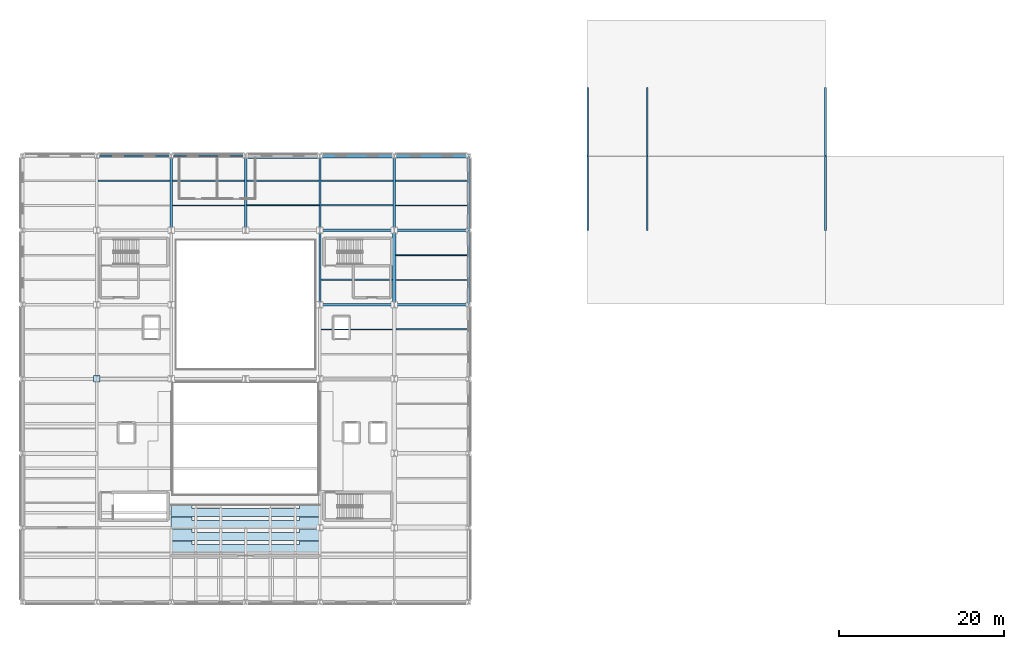
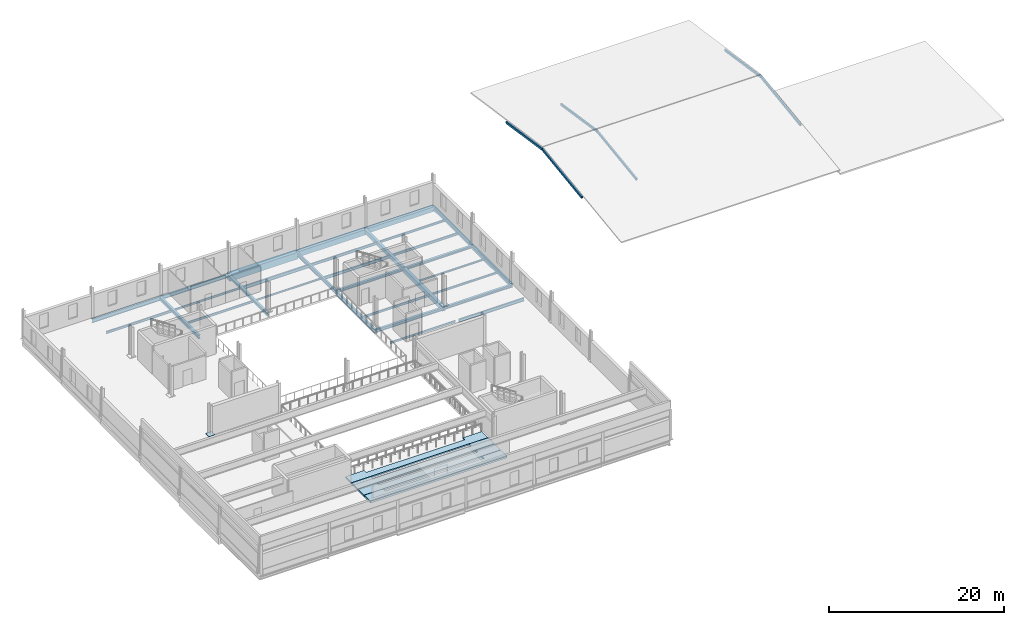
# One storey, part 7 of 17: 31 beams, 6 members, 4 slabs, 1 plate.
"""IFC4 building model written with IfcOpenShell, lengths in metres."""

from ifc_helpers import new_model, si_unit, direction, frame, origin, origin_2d, place, context, subcontext, project, spatial, polyline, rectangle, hollow_rectangle, i_section, outline, extrude, material, layer, layer_set, material_profile, profile_set, type_object, element, save


model = new_model("IFC4")

# Units and contexts
model_context = context("Model", 3, precision=1e-05, world=origin(), true_north=direction((0.0, 1.0)))
body_context = subcontext(model_context, "Body", "Model", "MODEL_VIEW")
ifc_project = project(units=[si_unit("LENGTHUNIT", "METRE"), si_unit("AREAUNIT", "SQUARE_METRE"), si_unit("VOLUMEUNIT", "CUBIC_METRE"), si_unit("PLANEANGLEUNIT", "RADIAN"), si_unit("MASSUNIT", "GRAM", prefix="KILO")], contexts=[model_context])

# Site, building, storey
site_placement = place(None, origin())
site = spatial("IfcSite", under=ifc_project, at=site_placement, CompositionType="ELEMENT")
building_placement = place(site_placement, origin())
building = spatial("IfcBuilding", under=site, at=building_placement, Name="Sundgate Opera House", CompositionType="ELEMENT")
storey_placement = place(building_placement, frame((0.0, 0.0, 26.39990234375)))
storey = spatial("IfcBuildingStorey", under=building, at=storey_placement, Name="L05", CompositionType="ELEMENT", Elevation=26.39990234375)

# Beams
ifc_material_1 = material(Name="Steel S355J2", Category="steel")
ifc_material_profile_1 = material_profile(ifc_material_1, i_section(OverallWidth=0.300048828125, OverallDepth=0.330078125, WebThickness=0.009521484375, FlangeThickness=0.0166015625, at=origin_2d()), Name="HEA 340")
ifc_profile_set_1 = profile_set([ifc_material_profile_1], Name="Steel S355J2")
beam_type_1 = type_object("IfcBeamType", Name="BM-GR-HEA340", PredefinedType="BEAM", material=ifc_profile_set_1)
beam_1_placement = place(storey_placement, frame((72.0, 78.0, -0.4248046875), z_axis=(1.0, 0.0, 0.0), x_axis=(0.0, 1.0, 0.0)))
element("IfcBeam", 1, at=beam_1_placement, inside=storey, type_object=beam_type_1, Name="L05 Primary E-W Girder B3139", PredefinedType="BEAM", context=body_context, shape_type="SweptSolid", body=[
    extrude(i_section(OverallWidth=0.300048828125, OverallDepth=0.330078125, WebThickness=0.009521484375, FlangeThickness=0.0166015625, at=origin_2d()), origin(), (0.0, 0.0, 1.0), 9.0),
])
ifc_material_2 = material(Name="Steel S355J2", Category="steel")
ifc_material_profile_2 = material_profile(ifc_material_2, i_section(OverallWidth=0.300048828125, OverallDepth=0.35009765625, WebThickness=0.010009765625, FlangeThickness=0.017578125, at=origin_2d()), Name="HEA 360")
ifc_profile_set_2 = profile_set([ifc_material_profile_2], Name="Steel S355J2")
beam_type_2 = type_object("IfcBeamType", Name="BM-GR-HEA360", PredefinedType="BEAM", material=ifc_profile_set_2)
beam_2_placement = place(storey_placement, frame((63.0, 78.0, -0.434814453125), z_axis=(1.0, 0.0, 0.0), x_axis=(0.0, 1.0, 0.0)))
element("IfcBeam", 2, at=beam_2_placement, inside=storey, type_object=beam_type_2, Name="L05 Primary E-W Girder B3138", PredefinedType="BEAM", context=body_context, shape_type="SweptSolid", body=[
    extrude(i_section(OverallWidth=0.300048828125, OverallDepth=0.35009765625, WebThickness=0.010009765625, FlangeThickness=0.017578125, at=origin_2d()), origin(), (0.0, 0.0, 1.0), 9.0),
])
ifc_material_3 = material(Name="Steel S355J2", Category="steel")
ifc_material_profile_3 = material_profile(ifc_material_3, i_section(OverallWidth=0.300048828125, OverallDepth=0.389892578125, WebThickness=0.010986328125, FlangeThickness=0.01904296875, at=origin_2d()), Name="HEA 400")
ifc_profile_set_3 = profile_set([ifc_material_profile_3], Name="Steel S355J2")
beam_type_3 = type_object("IfcBeamType", Name="BM-GR-HEA400", PredefinedType="BEAM", material=ifc_profile_set_3)
beam_3_placement = place(storey_placement, frame((54.0, 78.0, -0.454833984375), z_axis=(0.0, 1.0, 0.0), x_axis=(-1.0, 0.0, 0.0)))
element("IfcBeam", 3, at=beam_3_placement, inside=storey, type_object=beam_type_3, Name="L05 Primary N-S Girder B3093", PredefinedType="BEAM", context=body_context, shape_type="SweptSolid", body=[
    extrude(i_section(OverallWidth=0.300048828125, OverallDepth=0.389892578125, WebThickness=0.010986328125, FlangeThickness=0.01904296875, at=origin_2d()), origin(), (0.0, 0.0, 1.0), 9.0),
])
ifc_material_4 = material(Name="Steel S355J2", Category="steel")
ifc_material_profile_4 = material_profile(ifc_material_4, i_section(OverallWidth=0.300048828125, OverallDepth=0.489990234375, WebThickness=0.011962890625, FlangeThickness=0.02294921875, at=origin_2d()), Name="HEA 500")
ifc_profile_set_4 = profile_set([ifc_material_profile_4], Name="Steel S355J2")
beam_type_4 = type_object("IfcBeamType", Name="BM-GR-HEA500", PredefinedType="BEAM", material=ifc_profile_set_4)
beam_4_placement = place(storey_placement, frame((45.0, 78.0, -0.5048828125), z_axis=(0.0, 1.0, 0.0), x_axis=(-1.0, 0.0, 0.0)))
element("IfcBeam", 4, at=beam_4_placement, inside=storey, type_object=beam_type_4, Name="L05 Primary N-S Girder B3091", PredefinedType="BEAM", context=body_context, shape_type="SweptSolid", body=[
    extrude(i_section(OverallWidth=0.300048828125, OverallDepth=0.489990234375, WebThickness=0.011962890625, FlangeThickness=0.02294921875, at=origin_2d()), origin(), (0.0, 0.0, 1.0), 9.0),
])
ifc_material_5 = material(Name="Steel S355J2", Category="steel")
ifc_material_profile_5 = material_profile(ifc_material_5, i_section(OverallWidth=0.300048828125, OverallDepth=0.360107421875, WebThickness=0.012451171875, FlangeThickness=0.0224609375, at=origin_2d()), Name="HEB 360")
ifc_profile_set_5 = profile_set([ifc_material_profile_5], Name="Steel S355J2")
beam_type_5 = type_object("IfcBeamType", Name="BM-GR-HEB360", PredefinedType="BEAM", material=ifc_profile_set_5)
beam_5_placement = place(storey_placement, frame((72.0, 69.0, -0.43994140625), z_axis=(1.0, 0.0, 0.0), x_axis=(0.0, 1.0, 0.0)))
element("IfcBeam", 5, at=beam_5_placement, inside=storey, type_object=beam_type_5, Name="L05 Primary E-W Girder B3133", PredefinedType="BEAM", context=body_context, shape_type="SweptSolid", body=[
    extrude(i_section(OverallWidth=0.300048828125, OverallDepth=0.360107421875, WebThickness=0.012451171875, FlangeThickness=0.0224609375, at=origin_2d()), origin(), (0.0, 0.0, 1.0), 9.0),
])
ifc_material_6 = material(Name="Steel S355J2", Category="steel")
ifc_material_profile_6 = material_profile(ifc_material_6, i_section(OverallWidth=0.300048828125, OverallDepth=0.39990234375, WebThickness=0.013427734375, FlangeThickness=0.02392578125, at=origin_2d()), Name="HEB 400")
ifc_profile_set_6 = profile_set([ifc_material_profile_6], Name="Steel S355J2")
beam_type_6 = type_object("IfcBeamType", Name="BM-GR-HEB400", PredefinedType="BEAM", material=ifc_profile_set_6)
beam_6_placement = place(storey_placement, frame((63.0, 69.0, -0.4599609375), z_axis=(1.0, 0.0, 0.0), x_axis=(0.0, 1.0, 0.0)))
element("IfcBeam", 6, at=beam_6_placement, inside=storey, type_object=beam_type_6, Name="L05 Primary E-W Girder B3132", PredefinedType="BEAM", context=body_context, shape_type="SweptSolid", body=[
    extrude(i_section(OverallWidth=0.300048828125, OverallDepth=0.39990234375, WebThickness=0.013427734375, FlangeThickness=0.02392578125, at=origin_2d()), origin(), (0.0, 0.0, 1.0), 9.0),
])
ifc_material_7 = material(Name="Steel S355J2", Category="steel")
ifc_material_profile_7 = material_profile(ifc_material_7, i_section(OverallWidth=0.300048828125, OverallDepth=0.449951171875, WebThickness=0.013916015625, FlangeThickness=0.02587890625, at=origin_2d()), Name="HEB 450")
ifc_profile_set_7 = profile_set([ifc_material_profile_7], Name="Steel S355J2")
beam_type_7 = type_object("IfcBeamType", Name="BM-GR-HEB450", PredefinedType="BEAM", material=ifc_profile_set_7)
beam_7_placement = place(storey_placement, frame((81.0, 78.0, -0.48486328125), z_axis=(0.0, 1.0, 0.0), x_axis=(-1.0, 0.0, 0.0)))
element("IfcBeam", 7, at=beam_7_placement, inside=storey, type_object=beam_type_7, Name="L05 Primary N-S Girder B3109", PredefinedType="BEAM", context=body_context, shape_type="SweptSolid", body=[
    extrude(i_section(OverallWidth=0.300048828125, OverallDepth=0.449951171875, WebThickness=0.013916015625, FlangeThickness=0.02587890625, at=origin_2d()), origin(), (0.0, 0.0, 1.0), 9.0),
])
ifc_material_8 = material(Name="Steel S355J2", Category="steel")
ifc_material_profile_8 = material_profile(ifc_material_8, i_section(OverallWidth=0.300048828125, OverallDepth=0.5, WebThickness=0.014404296875, FlangeThickness=0.028076171875, at=origin_2d()), Name="HEB 500")
ifc_profile_set_8 = profile_set([ifc_material_profile_8], Name="Steel S355J2")
beam_type_8 = type_object("IfcBeamType", Name="BM-GR-HEB500", PredefinedType="BEAM", material=ifc_profile_set_8)
beam_8_placement = place(storey_placement, frame((81.0, 69.0, -0.510009765625), z_axis=(0.0, 1.0, 0.0), x_axis=(-1.0, 0.0, 0.0)))
element("IfcBeam", 8, at=beam_8_placement, inside=storey, type_object=beam_type_8, Name="L05 Primary N-S Girder B3108", PredefinedType="BEAM", context=body_context, shape_type="SweptSolid", body=[
    extrude(i_section(OverallWidth=0.300048828125, OverallDepth=0.5, WebThickness=0.014404296875, FlangeThickness=0.028076171875, at=origin_2d()), origin(), (0.0, 0.0, 1.0), 9.0),
])
ifc_material_9 = material(Name="Steel S355J2", Category="steel")
ifc_material_profile_9 = material_profile(ifc_material_9, i_section(OverallWidth=0.199951171875, OverallDepth=0.5, WebThickness=0.01025390625, FlangeThickness=0.01611328125, at=origin_2d()), Name="IPE 500")
ifc_profile_set_9 = profile_set([ifc_material_profile_9], Name="Steel S355J2")
beam_type_9 = type_object("IfcBeamType", Name="BM-GR-IPE500", PredefinedType="BEAM", material=ifc_profile_set_9)
beam_9_placement = place(storey_placement, frame((45.0, 87.0, -0.510009765625), z_axis=(1.0, 0.0, 0.0), x_axis=(0.0, 1.0, 0.0)))
element("IfcBeam", 9, at=beam_9_placement, inside=storey, type_object=beam_type_9, Name="L05 Primary E-W Girder B3142", PredefinedType="BEAM", context=body_context, shape_type="SweptSolid", body=[
    extrude(i_section(OverallWidth=0.199951171875, OverallDepth=0.5, WebThickness=0.01025390625, FlangeThickness=0.01611328125, at=origin_2d()), origin(), (0.0, 0.0, 1.0), 9.0),
])
ifc_material_10 = material(Name="Steel S355J2", Category="steel")
ifc_material_profile_10 = material_profile(ifc_material_10, i_section(OverallWidth=0.2099609375, OverallDepth=0.550048828125, WebThickness=0.010986328125, FlangeThickness=0.01708984375, at=origin_2d()), Name="IPE 550")
ifc_profile_set_10 = profile_set([ifc_material_profile_10], Name="Steel S355J2")
beam_type_10 = type_object("IfcBeamType", Name="BM-GR-IPE550", PredefinedType="BEAM", material=ifc_profile_set_10)
for number, where, z_axis, x_axis, name in (
    (10, (63.0, 78.0, -0.534912109375), (0.0, 1.0, 0.0), (-1.0, 0.0, 0.0), "L05 Primary N-S Girder B3097"),
    (11, (36.0, 87.0, -0.534912109375), (1.0, 0.0, 0.0), (0.0, 1.0, 0.0), "L05 Primary E-W Girder B3141"),
):
    element("IfcBeam", number, at=place(storey_placement, frame(where, z_axis=z_axis, x_axis=x_axis)), inside=storey, type_object=beam_type_10, Name=name, PredefinedType="BEAM", context=body_context, shape_type="SweptSolid", body=[
        extrude(i_section(OverallWidth=0.2099609375, OverallDepth=0.550048828125, WebThickness=0.010986328125, FlangeThickness=0.01708984375, at=origin_2d()), origin(), (0.0, 0.0, 1.0), 9.0),
    ])
ifc_material_11 = material(Name="Steel S355J2", Category="steel")
ifc_material_profile_11 = material_profile(ifc_material_11, i_section(OverallWidth=0.219970703125, OverallDepth=0.60009765625, WebThickness=0.011962890625, FlangeThickness=0.01904296875, at=origin_2d()), Name="IPE 600")
ifc_profile_set_11 = profile_set([ifc_material_profile_11], Name="Steel S355J2")
beam_type_11 = type_object("IfcBeamType", Name="BM-GR-IPE600", PredefinedType="BEAM", material=ifc_profile_set_11)
beam_10_placement = place(storey_placement, frame((63.0, 69.0, -0.559814453125), z_axis=(0.0, 1.0, 0.0), x_axis=(-1.0, 0.0, 0.0)))
element("IfcBeam", 12, at=beam_10_placement, inside=storey, type_object=beam_type_11, Name="L05 Primary N-S Girder B3096", PredefinedType="BEAM", context=body_context, shape_type="SweptSolid", body=[
    extrude(i_section(OverallWidth=0.219970703125, OverallDepth=0.60009765625, WebThickness=0.011962890625, FlangeThickness=0.01904296875, at=origin_2d()), origin(), (0.0, 0.0, 1.0), 9.0),
])
ifc_material_12 = material(Name="Steel S355J2", Category="steel")
ifc_material_profile_12 = material_profile(ifc_material_12, i_section(OverallWidth=0.1201171875, OverallDepth=0.239990234375, WebThickness=0.006103515625, FlangeThickness=0.009765625, at=origin_2d()), Name="IPE 240")
ifc_profile_set_12 = profile_set([ifc_material_profile_12], Name="Steel S355J2")
beam_type_12 = type_object("IfcBeamType", Name="BM-JS-IPE240", PredefinedType="JOIST", material=ifc_profile_set_12)
beam_11_placement = place(storey_placement, frame((72.199951171875, 75.0, -0.3798828125), z_axis=(1.0, 0.0, 0.0), x_axis=(0.0, 1.0, 0.0)))
element("IfcBeam", 13, at=beam_11_placement, inside=storey, type_object=beam_type_12, Name="L05 Secondary Floor Joist B3179", PredefinedType="JOIST", context=body_context, shape_type="SweptSolid", body=[
    extrude(i_section(OverallWidth=0.1201171875, OverallDepth=0.239990234375, WebThickness=0.006103515625, FlangeThickness=0.009765625, at=origin_2d()), origin(), (0.0, 0.0, 1.0), 8.650146484375),
])
beam_12_placement = place(storey_placement, frame((54.14990234375, 81.0, -0.3798828125), z_axis=(1.0, 0.0, 0.0), x_axis=(0.0, 1.0, 0.0)))
element("IfcBeam", 14, at=beam_12_placement, inside=storey, type_object=beam_type_12, Name="L05 Secondary Floor Joist B3186", PredefinedType="JOIST", context=body_context, shape_type="SweptSolid", body=[
    extrude(i_section(OverallWidth=0.1201171875, OverallDepth=0.239990234375, WebThickness=0.006103515625, FlangeThickness=0.009765625, at=origin_2d()), origin(), (0.0, 0.0, 1.0), 8.7451171875),
])
ifc_material_13 = material(Name="Steel S355J2", Category="steel")
ifc_material_profile_13 = material_profile(ifc_material_13, i_section(OverallWidth=0.135009765625, OverallDepth=0.27001953125, WebThickness=0.006591796875, FlangeThickness=0.01025390625, at=origin_2d()), Name="IPE 270")
ifc_profile_set_13 = profile_set([ifc_material_profile_13], Name="Steel S355J2")
beam_type_13 = type_object("IfcBeamType", Name="BM-JS-IPE270", PredefinedType="JOIST", material=ifc_profile_set_13)
beam_13_placement = place(storey_placement, frame((63.14990234375, 66.0, -0.39501953125), z_axis=(1.0, 0.0, 0.0), x_axis=(0.0, 1.0, 0.0)))
element("IfcBeam", 15, at=beam_13_placement, inside=storey, type_object=beam_type_13, Name="L05 Secondary Floor Joist B3171", PredefinedType="JOIST", context=body_context, shape_type="SweptSolid", body=[
    extrude(i_section(OverallWidth=0.135009765625, OverallDepth=0.27001953125, WebThickness=0.006591796875, FlangeThickness=0.01025390625, at=origin_2d()), origin(), (0.0, 0.0, 1.0), 8.625),
])
beam_14_placement = place(storey_placement, frame((72.199951171875, 72.0, -0.39501953125), z_axis=(1.0, 0.0, 0.0), x_axis=(0.0, 1.0, 0.0)))
element("IfcBeam", 16, at=beam_14_placement, inside=storey, type_object=beam_type_13, Name="L05 Secondary Floor Joist B3178", PredefinedType="JOIST", context=body_context, shape_type="SweptSolid", body=[
    extrude(i_section(OverallWidth=0.135009765625, OverallDepth=0.27001953125, WebThickness=0.006591796875, FlangeThickness=0.01025390625, at=origin_2d()), origin(), (0.0, 0.0, 1.0), 8.650146484375),
])
beam_15_placement = place(storey_placement, frame((45.14990234375, 84.0, -0.39501953125), z_axis=(1.0, 0.0, 0.0), x_axis=(0.0, 1.0, 0.0)))
element("IfcBeam", 17, at=beam_15_placement, inside=storey, type_object=beam_type_13, Name="L05 Secondary Floor Joist B3185", PredefinedType="JOIST", context=body_context, shape_type="SweptSolid", body=[
    extrude(i_section(OverallWidth=0.135009765625, OverallDepth=0.27001953125, WebThickness=0.006591796875, FlangeThickness=0.01025390625, at=origin_2d()), origin(), (0.0, 0.0, 1.0), 8.7001953125),
])
ifc_material_14 = material(Name="Steel S355J2", Category="steel")
ifc_material_profile_14 = material_profile(ifc_material_14, i_section(OverallWidth=0.14990234375, OverallDepth=0.300048828125, WebThickness=0.007080078125, FlangeThickness=0.0107421875, at=origin_2d()), Name="IPE 300")
ifc_profile_set_14 = profile_set([ifc_material_profile_14], Name="Steel S355J2")
beam_type_14 = type_object("IfcBeamType", Name="BM-JS-IPE300", PredefinedType="JOIST", material=ifc_profile_set_14)
beam_16_placement = place(storey_placement, frame((63.110107421875, 72.0, -0.409912109375), z_axis=(1.0, 0.0, 0.0), x_axis=(0.0, 1.0, 0.0)))
element("IfcBeam", 18, at=beam_16_placement, inside=storey, type_object=beam_type_14, Name="L05 Secondary Floor Joist B3177", PredefinedType="JOIST", context=body_context, shape_type="SweptSolid", body=[
    extrude(i_section(OverallWidth=0.14990234375, OverallDepth=0.300048828125, WebThickness=0.007080078125, FlangeThickness=0.0107421875, at=origin_2d()), origin(), (0.0, 0.0, 1.0), 8.68994140625),
])
beam_17_placement = place(storey_placement, frame((45.14990234375, 81.0, -0.409912109375), z_axis=(1.0, 0.0, 0.0), x_axis=(0.0, 1.0, 0.0)))
element("IfcBeam", 19, at=beam_17_placement, inside=storey, type_object=beam_type_14, Name="L05 Secondary Floor Joist B3184", PredefinedType="JOIST", context=body_context, shape_type="SweptSolid", body=[
    extrude(i_section(OverallWidth=0.14990234375, OverallDepth=0.300048828125, WebThickness=0.007080078125, FlangeThickness=0.0107421875, at=origin_2d()), origin(), (0.0, 0.0, 1.0), 8.7001953125),
])
beam_18_placement = place(storey_placement, frame((72.175048828125, 84.0, -0.409912109375), z_axis=(1.0, 0.0, 0.0), x_axis=(0.0, 1.0, 0.0)))
element("IfcBeam", 20, at=beam_18_placement, inside=storey, type_object=beam_type_14, Name="L05 Secondary Floor Joist B3191", PredefinedType="JOIST", context=body_context, shape_type="SweptSolid", body=[
    extrude(i_section(OverallWidth=0.14990234375, OverallDepth=0.300048828125, WebThickness=0.007080078125, FlangeThickness=0.0107421875, at=origin_2d()), origin(), (0.0, 0.0, 1.0), 8.675048828125),
])
ifc_material_15 = material(Name="Steel S355J2", Category="steel")
ifc_material_profile_15 = material_profile(ifc_material_15, i_section(OverallWidth=0.159912109375, OverallDepth=0.330078125, WebThickness=0.007568359375, FlangeThickness=0.011474609375, at=origin_2d()), Name="IPE 330")
ifc_profile_set_15 = profile_set([ifc_material_profile_15], Name="Steel S355J2")
beam_type_15 = type_object("IfcBeamType", Name="BM-JS-IPE330", PredefinedType="JOIST", material=ifc_profile_set_15)
beam_19_placement = place(storey_placement, frame((36.14990234375, 84.0, -0.4248046875), z_axis=(1.0, 0.0, 0.0), x_axis=(0.0, 1.0, 0.0)))
element("IfcBeam", 21, at=beam_19_placement, inside=storey, type_object=beam_type_15, Name="L05 Secondary Floor Joist B3183", PredefinedType="JOIST", context=body_context, shape_type="SweptSolid", body=[
    extrude(i_section(OverallWidth=0.159912109375, OverallDepth=0.330078125, WebThickness=0.007568359375, FlangeThickness=0.011474609375, at=origin_2d()), origin(), (0.0, 0.0, 1.0), 8.7001953125),
])
beam_20_placement = place(storey_placement, frame((72.175048828125, 81.0, -0.4248046875), z_axis=(1.0, 0.0, 0.0), x_axis=(0.0, 1.0, 0.0)))
element("IfcBeam", 22, at=beam_20_placement, inside=storey, type_object=beam_type_15, Name="L05 Secondary Floor Joist B3190", PredefinedType="JOIST", context=body_context, shape_type="SweptSolid", body=[
    extrude(i_section(OverallWidth=0.159912109375, OverallDepth=0.330078125, WebThickness=0.007568359375, FlangeThickness=0.011474609375, at=origin_2d()), origin(), (0.0, 0.0, 1.0), 8.675048828125),
])
ifc_material_16 = material(Name="Steel S355J2", Category="steel")
ifc_material_profile_16 = material_profile(ifc_material_16, i_section(OverallWidth=0.169921875, OverallDepth=0.360107421875, WebThickness=0.008056640625, FlangeThickness=0.0126953125, at=origin_2d()), Name="IPE 360")
ifc_profile_set_16 = profile_set([ifc_material_profile_16], Name="Steel S355J2")
beam_type_16 = type_object("IfcBeamType", Name="BM-JS-IPE360", PredefinedType="JOIST", material=ifc_profile_set_16)
beam_21_placement = place(storey_placement, frame((63.10498046875, 84.0, -0.43994140625), z_axis=(1.0, 0.0, 0.0), x_axis=(0.0, 1.0, 0.0)))
element("IfcBeam", 23, at=beam_21_placement, inside=storey, type_object=beam_type_16, Name="L05 Secondary Floor Joist B3189", PredefinedType="JOIST", context=body_context, shape_type="SweptSolid", body=[
    extrude(i_section(OverallWidth=0.169921875, OverallDepth=0.360107421875, WebThickness=0.008056640625, FlangeThickness=0.0126953125, at=origin_2d()), origin(), (0.0, 0.0, 1.0), 8.719970703125),
])
ifc_material_17 = material(Name="Steel S355J2", Category="steel")
ifc_material_profile_17 = material_profile(ifc_material_17, i_section(OverallWidth=0.179931640625, OverallDepth=0.39990234375, WebThickness=0.008544921875, FlangeThickness=0.013427734375, at=origin_2d()), Name="IPE 400")
ifc_profile_set_17 = profile_set([ifc_material_profile_17], Name="Steel S355J2")
beam_type_17 = type_object("IfcBeamType", Name="BM-JS-IPE400", PredefinedType="JOIST", material=ifc_profile_set_17)
beam_22_placement = place(storey_placement, frame((63.10498046875, 81.0, -0.4599609375), z_axis=(1.0, 0.0, 0.0), x_axis=(0.0, 1.0, 0.0)))
element("IfcBeam", 24, at=beam_22_placement, inside=storey, type_object=beam_type_17, Name="L05 Secondary Floor Joist B3188", PredefinedType="JOIST", context=body_context, shape_type="SweptSolid", body=[
    extrude(i_section(OverallWidth=0.179931640625, OverallDepth=0.39990234375, WebThickness=0.008544921875, FlangeThickness=0.013427734375, at=origin_2d()), origin(), (0.0, 0.0, 1.0), 8.719970703125),
])
ifc_material_18 = material(Name="Steel S355J2", Category="steel")
ifc_material_profile_18 = material_profile(ifc_material_18, i_section(OverallWidth=0.18994140625, OverallDepth=0.449951171875, WebThickness=0.009521484375, FlangeThickness=0.0146484375, at=origin_2d()), Name="IPE 450")
ifc_profile_set_18 = profile_set([ifc_material_profile_18], Name="Steel S355J2")
beam_type_18 = type_object("IfcBeamType", Name="BM-JS-IPE450", PredefinedType="JOIST", material=ifc_profile_set_18)
beam_23_placement = place(storey_placement, frame((72.22509765625, 66.0, -0.48486328125), z_axis=(1.0, 0.0, 0.0), x_axis=(0.0, 1.0, 0.0)))
element("IfcBeam", 25, at=beam_23_placement, inside=storey, type_object=beam_type_18, Name="L05 Secondary Floor Joist B3173", PredefinedType="JOIST", context=body_context, shape_type="SweptSolid", body=[
    extrude(i_section(OverallWidth=0.18994140625, OverallDepth=0.449951171875, WebThickness=0.009521484375, FlangeThickness=0.0146484375, at=origin_2d()), origin(), (0.0, 0.0, 1.0), 8.625),
])
beam_24_placement = place(storey_placement, frame((54.14990234375, 84.0, -0.48486328125), z_axis=(1.0, 0.0, 0.0), x_axis=(0.0, 1.0, 0.0)))
element("IfcBeam", 26, at=beam_24_placement, inside=storey, type_object=beam_type_18, Name="L05 Secondary Floor Joist B3187", PredefinedType="JOIST", context=body_context, shape_type="SweptSolid", body=[
    extrude(i_section(OverallWidth=0.18994140625, OverallDepth=0.449951171875, WebThickness=0.009521484375, FlangeThickness=0.0146484375, at=origin_2d()), origin(), (0.0, 0.0, 1.0), 8.7451171875),
])
ifc_material_19 = material(Name="Concrete C35/45", Category="concrete")
ifc_material_profile_19 = material_profile(ifc_material_19, rectangle(XDim=0.35009765625, YDim=0.550048828125, at=origin_2d()), Name="RC 350x550")
ifc_profile_set_19 = profile_set([ifc_material_profile_19], Name="Concrete C35/45")
beam_type_19 = type_object("IfcBeamType", Name="BM-RC-350x550", PredefinedType="BEAM", material=ifc_profile_set_19)
beam_25_placement = place(storey_placement, frame((72.0, 78.0, -0.534912109375), z_axis=(0.0, 1.0, 0.0), x_axis=(-1.0, 0.0, 0.0)))
element("IfcBeam", 27, at=beam_25_placement, inside=storey, type_object=beam_type_19, Name="L05 Primary N-S Girder B3103", PredefinedType="BEAM", context=body_context, shape_type="SweptSolid", body=[
    extrude(rectangle(XDim=0.35009765625, YDim=0.550048828125, at=origin_2d()), origin(), (0.0, 0.0, 1.0), 9.0),
])
ifc_material_20 = material(Name="Concrete C35/45", Category="concrete")
ifc_material_profile_20 = material_profile(ifc_material_20, rectangle(XDim=0.39990234375, YDim=0.60009765625, at=origin_2d()), Name="RC 400x600")
ifc_profile_set_20 = profile_set([ifc_material_profile_20], Name="Concrete C35/45")
beam_type_20 = type_object("IfcBeamType", Name="BM-RC-400x600", PredefinedType="BEAM", material=ifc_profile_set_20)
beam_26_placement = place(storey_placement, frame((72.0, 69.0, -0.559814453125), z_axis=(0.0, 1.0, 0.0), x_axis=(-1.0, 0.0, 0.0)))
element("IfcBeam", 28, at=beam_26_placement, inside=storey, type_object=beam_type_20, Name="L05 Primary N-S Girder B3102", PredefinedType="BEAM", context=body_context, shape_type="SweptSolid", body=[
    extrude(rectangle(XDim=0.39990234375, YDim=0.60009765625, at=origin_2d()), origin(), (0.0, 0.0, 1.0), 9.0),
])
ifc_material_21 = material(Name="Concrete C35/45", Category="concrete")
ifc_material_profile_21 = material_profile(ifc_material_21, rectangle(XDim=0.449951171875, YDim=0.64990234375, at=origin_2d()), Name="RC 450x650")
ifc_profile_set_21 = profile_set([ifc_material_profile_21], Name="Concrete C35/45")
beam_type_21 = type_object("IfcBeamType", Name="BM-RC-450x650", PredefinedType="BEAM", material=ifc_profile_set_21)
beam_27_placement = place(storey_placement, frame((72.0, 87.0, -0.5849609375), z_axis=(1.0, 0.0, 0.0), x_axis=(0.0, 1.0, 0.0)))
element("IfcBeam", 29, at=beam_27_placement, inside=storey, type_object=beam_type_21, Name="L05 Primary E-W Girder B3145", PredefinedType="BEAM", context=body_context, shape_type="SweptSolid", body=[
    extrude(rectangle(XDim=0.449951171875, YDim=0.64990234375, at=origin_2d()), origin(), (0.0, 0.0, 1.0), 9.0),
])
ifc_material_22 = material(Name="Concrete C40/50", Category="concrete")
ifc_material_profile_22 = material_profile(ifc_material_22, rectangle(XDim=0.5, YDim=0.75, at=origin_2d()), Name="RC 500x750")
ifc_profile_set_22 = profile_set([ifc_material_profile_22], Name="Concrete C40/50")
beam_type_22 = type_object("IfcBeamType", Name="BM-RC-500x750", PredefinedType="BEAM", material=ifc_profile_set_22)
beam_28_placement = place(storey_placement, frame((63.0, 87.0, -0.635009765625), z_axis=(1.0, 0.0, 0.0), x_axis=(0.0, 1.0, 0.0)))
element("IfcBeam", 30, at=beam_28_placement, inside=storey, type_object=beam_type_22, Name="L05 Primary E-W Girder B3144", PredefinedType="BEAM", context=body_context, shape_type="SweptSolid", body=[
    extrude(rectangle(XDim=0.5, YDim=0.75, at=origin_2d()), origin(), (0.0, 0.0, 1.0), 9.0),
])
ifc_material_23 = material(Name="Concrete C40/50", Category="concrete")
ifc_material_profile_23 = material_profile(ifc_material_23, rectangle(XDim=0.60009765625, YDim=0.949951171875, at=origin_2d()), Name="RC 600x950")
ifc_profile_set_23 = profile_set([ifc_material_profile_23], Name="Concrete C40/50")
beam_type_23 = type_object("IfcBeamType", Name="BM-RC-600x950", PredefinedType="BEAM", material=ifc_profile_set_23)
beam_29_placement = place(storey_placement, frame((54.0, 87.0, -0.73486328125), z_axis=(1.0, 0.0, 0.0), x_axis=(0.0, 1.0, 0.0)))
element("IfcBeam", 31, at=beam_29_placement, inside=storey, type_object=beam_type_23, Name="L05 Primary E-W Girder B3143", PredefinedType="BEAM", context=body_context, shape_type="SweptSolid", body=[
    extrude(rectangle(XDim=0.60009765625, YDim=0.949951171875, at=origin_2d()), origin(), (0.0, 0.0, 1.0), 9.0),
])

# Members
ifc_material_24 = material(Name="Steel S355J2", Category="steel")
ifc_material_profile_24 = material_profile(ifc_material_24, hollow_rectangle(XDim=0.199951171875, YDim=0.300048828125, WallThickness=0.012451171875, at=origin_2d()), Name="RHS 300x200x12.5")
ifc_profile_set_24 = profile_set([ifc_material_profile_24], Name="Steel S355J2")
member_type = type_object("IfcMemberType", Name="MB-ARCH-RHS300", PredefinedType="USERDEFINED", material=ifc_profile_set_24)
member_1_placement = place(storey_placement, frame((95.39990234375, 78.0, 1.300048828125), z_axis=(0.0, 0.990492273178, 0.137568371275), x_axis=(-1.0, 0.0, 0.0)))
element("IfcMember", 32, at=member_1_placement, inside=storey, type_object=member_type, Name="Conservatory Vault Rib M0439", ObjectType="ARCH RIB", PredefinedType="USERDEFINED", context=body_context, shape_type="SweptSolid", body=[
    extrude(hollow_rectangle(XDim=0.199951171875, YDim=0.300048828125, WallThickness=0.012451171875, at=origin_2d()), origin(), (0.0, 0.0, 1.0), 9.08642578125),
])
member_2_placement = place(storey_placement, frame((95.39990234375, 87.0, 2.550048828125), z_axis=(0.0, 0.988715504225, -0.149805379428), x_axis=(-1.0, 0.0, 0.0)))
element("IfcMember", 33, at=member_2_placement, inside=storey, type_object=member_type, Name="Conservatory Vault Rib M0440", ObjectType="ARCH RIB", PredefinedType="USERDEFINED", context=body_context, shape_type="SweptSolid", body=[
    extrude(hollow_rectangle(XDim=0.199951171875, YDim=0.300048828125, WallThickness=0.012451171875, at=origin_2d()), origin(), (0.0, 0.0, 1.0), 8.34423828125),
])
member_3_placement = place(storey_placement, frame((102.60009765625, 78.0, 1.300048828125), z_axis=(0.0, 0.990492273178, 0.137568371275), x_axis=(-1.0, 0.0, 0.0)))
element("IfcMember", 34, at=member_3_placement, inside=storey, type_object=member_type, Name="Conservatory Vault Rib M0446", ObjectType="ARCH RIB", PredefinedType="USERDEFINED", context=body_context, shape_type="SweptSolid", body=[
    extrude(hollow_rectangle(XDim=0.199951171875, YDim=0.300048828125, WallThickness=0.012451171875, at=origin_2d()), origin(), (0.0, 0.0, 1.0), 9.08642578125),
])
member_4_placement = place(storey_placement, frame((102.60009765625, 87.0, 2.550048828125), z_axis=(0.0, 0.988715504225, -0.149805379428), x_axis=(-1.0, 0.0, 0.0)))
element("IfcMember", 35, at=member_4_placement, inside=storey, type_object=member_type, Name="Conservatory Vault Rib M0447", ObjectType="ARCH RIB", PredefinedType="USERDEFINED", context=body_context, shape_type="SweptSolid", body=[
    extrude(hollow_rectangle(XDim=0.199951171875, YDim=0.300048828125, WallThickness=0.012451171875, at=origin_2d()), origin(), (0.0, 0.0, 1.0), 8.34423828125),
])
member_5_placement = place(storey_placement, frame((124.199951171875, 78.0, 1.300048828125), z_axis=(0.0, 0.990492273178, 0.137568371275), x_axis=(-1.0, 0.0, 0.0)))
element("IfcMember", 36, at=member_5_placement, inside=storey, type_object=member_type, Name="Conservatory Vault Rib M0453", ObjectType="ARCH RIB", PredefinedType="USERDEFINED", context=body_context, shape_type="SweptSolid", body=[
    extrude(hollow_rectangle(XDim=0.199951171875, YDim=0.300048828125, WallThickness=0.012451171875, at=origin_2d()), origin(), (0.0, 0.0, 1.0), 9.08642578125),
])
member_6_placement = place(storey_placement, frame((124.199951171875, 87.0, 2.550048828125), z_axis=(0.0, 0.988715504225, -0.149805379428), x_axis=(-1.0, 0.0, 0.0)))
element("IfcMember", 37, at=member_6_placement, inside=storey, type_object=member_type, Name="Conservatory Vault Rib M0454", ObjectType="ARCH RIB", PredefinedType="USERDEFINED", context=body_context, shape_type="SweptSolid", body=[
    extrude(hollow_rectangle(XDim=0.199951171875, YDim=0.300048828125, WallThickness=0.012451171875, at=origin_2d()), origin(), (0.0, 0.0, 1.0), 8.34423828125),
])

# Plate
ifc_material_25 = material(Name="Steel S355J2", Category="steel")
ifc_layer_1 = layer(ifc_material_25, 0.0400390625)
ifc_layer_set_1 = layer_set([ifc_layer_1], Name="Steel S355J2")
plate_type = type_object("IfcPlateType", Name="PT-BAS-40", PredefinedType="USERDEFINED", material=ifc_layer_set_1)
plate_placement = place(storey_placement, frame((36.0, 60.0, 0.0), z_axis=(0.0, 0.0, 1.0), x_axis=(1.0, 0.0, 0.0)))
element("IfcPlate", 38, at=plate_placement, inside=storey, type_object=plate_type, Name="L05 Base Plate PT0048", ObjectType="BASE PLATE", PredefinedType="USERDEFINED", context=body_context, shape_type="SweptSolid", body=[
    extrude(rectangle(XDim=0.7900390625, YDim=0.7900390625, at=origin_2d()), origin(), (0.0, 0.0, 1.0), 0.0400390625),
])

# Slabs
ifc_material_26 = material(Name="Precast concrete C40/50", Category="concrete")
ifc_layer_2 = layer(ifc_material_26, 0.205078125)
ifc_layer_set_2 = layer_set([ifc_layer_2], Name="Precast concrete C40/50")
slab_type_1 = type_object("IfcSlabType", Name="SL-TIER-205", PredefinedType="USERDEFINED", material=ifc_layer_set_2)
slab_1_placement = place(storey_placement, origin())
element("IfcSlab", 39, at=slab_1_placement, inside=storey, type_object=slab_type_1, Name="L05 Horseshoe Balcony Tier 4", ObjectType="SEATING TIER", PredefinedType="USERDEFINED", context=body_context, shape_type="SweptSolid", body=[
    extrude(outline(polyline([(45.0, 43.35009765625), (63.0, 43.35009765625), (63.0, 44.75), (60.5, 44.75), (60.5, 44.300048828125), (47.5, 44.300048828125), (47.5, 44.75), (45.0, 44.75), (45.0, 43.35009765625)])), origin(), (0.0, 0.0, 1.0), 0.205078125),
])
ifc_material_27 = material(Name="Precast concrete C40/50", Category="concrete")
ifc_layer_3 = layer(ifc_material_27, 0.22509765625)
ifc_layer_set_3 = layer_set([ifc_layer_3], Name="Precast concrete C40/50")
slab_type_2 = type_object("IfcSlabType", Name="SL-TIER-225", PredefinedType="USERDEFINED", material=ifc_layer_set_3)
slab_2_placement = place(storey_placement, origin())
element("IfcSlab", 40, at=slab_2_placement, inside=storey, type_object=slab_type_2, Name="L05 Horseshoe Balcony Tier 3", ObjectType="SEATING TIER", PredefinedType="USERDEFINED", context=body_context, shape_type="SweptSolid", body=[
    extrude(outline(polyline([(45.0, 41.89990234375), (63.0, 41.89990234375), (63.0, 43.300048828125), (60.5, 43.300048828125), (60.5, 42.85009765625), (47.5, 42.85009765625), (47.5, 43.300048828125), (45.0, 43.300048828125), (45.0, 41.89990234375)])), origin(), (0.0, 0.0, 1.0), 0.22509765625),
])
ifc_material_28 = material(Name="Precast concrete C40/50", Category="concrete")
ifc_layer_4 = layer(ifc_material_28, 0.2451171875)
ifc_layer_set_4 = layer_set([ifc_layer_4], Name="Precast concrete C40/50")
slab_type_3 = type_object("IfcSlabType", Name="SL-TIER-245", PredefinedType="USERDEFINED", material=ifc_layer_set_4)
slab_3_placement = place(storey_placement, origin())
element("IfcSlab", 41, at=slab_3_placement, inside=storey, type_object=slab_type_3, Name="L05 Horseshoe Balcony Tier 2", ObjectType="SEATING TIER", PredefinedType="USERDEFINED", context=body_context, shape_type="SweptSolid", body=[
    extrude(outline(polyline([(45.0, 40.449951171875), (63.0, 40.449951171875), (63.0, 41.85009765625), (60.5, 41.85009765625), (60.5, 41.39990234375), (47.5, 41.39990234375), (47.5, 41.85009765625), (45.0, 41.85009765625), (45.0, 40.449951171875)])), origin(), (0.0, 0.0, 1.0), 0.2451171875),
])
ifc_material_29 = material(Name="Precast concrete C40/50", Category="concrete")
ifc_layer_5 = layer(ifc_material_29, 0.264892578125)
ifc_layer_set_5 = layer_set([ifc_layer_5], Name="Precast concrete C40/50")
slab_type_4 = type_object("IfcSlabType", Name="SL-TIER-265", PredefinedType="USERDEFINED", material=ifc_layer_set_5)
slab_4_placement = place(storey_placement, origin())
element("IfcSlab", 42, at=slab_4_placement, inside=storey, type_object=slab_type_4, Name="L05 Horseshoe Balcony Tier 1", ObjectType="SEATING TIER", PredefinedType="USERDEFINED", context=body_context, shape_type="SweptSolid", body=[
    extrude(outline(polyline([(45.0, 39.0), (63.0, 39.0), (63.0, 40.39990234375), (60.5, 40.39990234375), (60.5, 39.949951171875), (47.5, 39.949951171875), (47.5, 40.39990234375), (45.0, 40.39990234375), (45.0, 39.0)])), origin(), (0.0, 0.0, 1.0), 0.26513671875),
])

save(model, "model.ifc")
